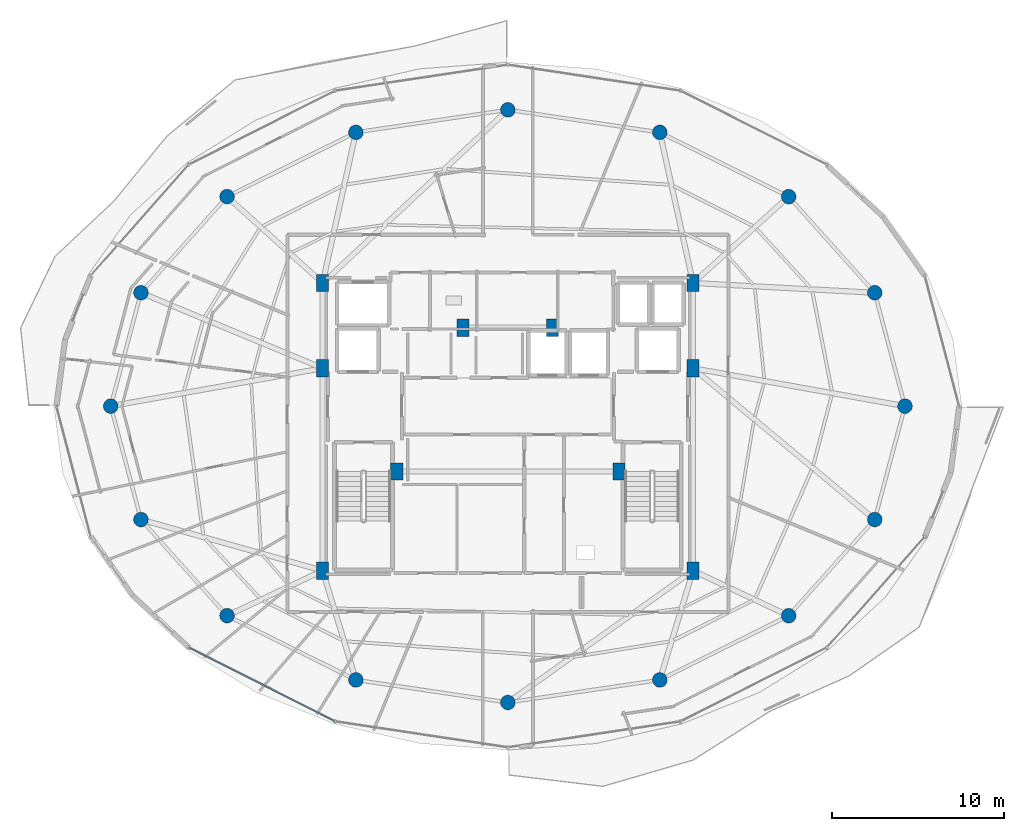
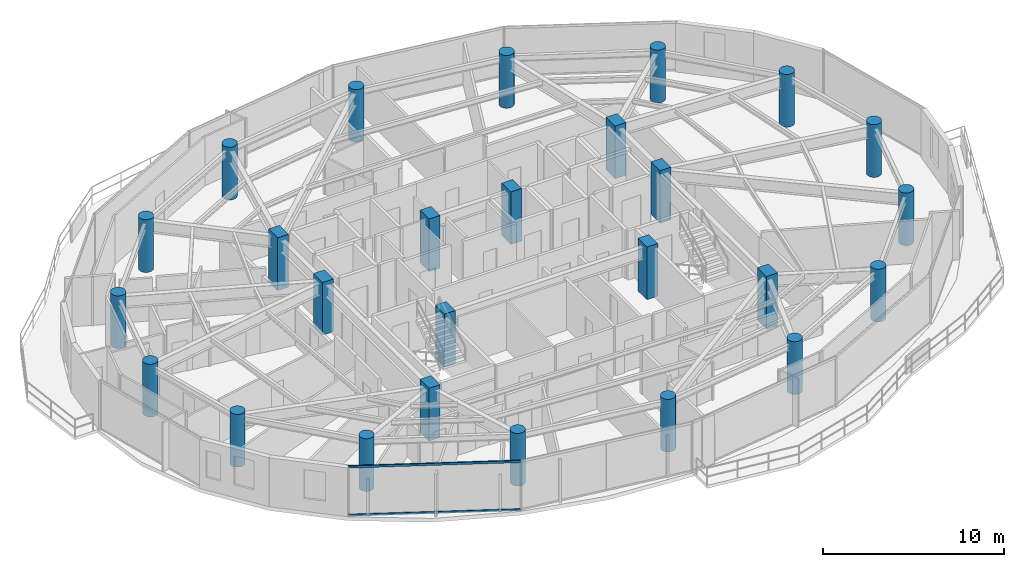
# One storey, part 1 of 30: 26 columns, 2 members, 1 element without a shape of its own.
"""IFC4 building model written with IfcOpenShell, lengths in metres."""

from ifc_helpers import new_model, si_unit, direction, frame, origin, origin_2d, place, context, subcontext, project, spatial, rectangle, hollow_rectangle, circle, extrude, material, material_profile, profile_set, type_object, element, aggregate, save


model = new_model("IFC4")

# Units and contexts
model_context = context("Model", 3, precision=1e-05, world=origin(), true_north=direction((0.0, 1.0)))
body_context = subcontext(model_context, "Body", "Model", "MODEL_VIEW")
ifc_project = project(units=[si_unit("LENGTHUNIT", "METRE"), si_unit("AREAUNIT", "SQUARE_METRE"), si_unit("VOLUMEUNIT", "CUBIC_METRE"), si_unit("PLANEANGLEUNIT", "RADIAN"), si_unit("MASSUNIT", "GRAM", prefix="KILO")], contexts=[model_context])

# Site, building, storey
site_placement = place(None, origin())
site = spatial("IfcSite", under=ifc_project, at=site_placement, CompositionType="ELEMENT")
building_placement = place(site_placement, origin())
building = spatial("IfcBuilding", under=site, at=building_placement, Name="Vorneva Point Tower", CompositionType="ELEMENT")
storey_placement = place(building_placement, frame((0.0, 0.0, 234.25)))
storey = spatial("IfcBuildingStorey", under=building, at=storey_placement, Name="L63", CompositionType="ELEMENT", Elevation=234.25)

# Columns
ifc_material_1 = material(Name="Concrete B50 (C40/50)", Category="concrete")
ifc_material_profile_1 = material_profile(ifc_material_1, circle(Radius=0.425048828125, at=origin_2d()), Name="RC-CIRC 850")
ifc_profile_set_1 = profile_set([ifc_material_profile_1], Name="Concrete B50 (C40/50)")
column_type_1 = type_object("IfcColumnType", Name="COL-RC850C", PredefinedType="COLUMN", material=ifc_profile_set_1)
for number, where, z_axis, x_axis, name in (
    (1, (61.050048828125, 26.0, 0.0), (0.0, 0.0, 1.0), (1.0, 0.0, 0.0), "L63 Perimeter Column P01"),
    (2, (59.29541015625, 32.582275390625, 0.0), (0.0, 0.0, 1.0), (0.923879532511, 0.382683432365, 0.0), "L63 Perimeter Column P02"),
    (3, (54.298828125, 38.162109375, 0.0), (0.0, 0.0, 1.0), (0.707106781187, 0.707106781187, 0.0), "L63 Perimeter Column P03"),
    (4, (46.82080078125, 41.890625, 0.0), (0.0, 0.0, 1.0), (0.382683432365, 0.923879532511, 0.0), "L63 Perimeter Column P04"),
    (5, (38.0, 43.199951171875, 0.0), (0.0, 0.0, 1.0), (0.0, 1.0, 0.0), "L63 Perimeter Column P05"),
    (6, (29.17919921875, 41.890625, 0.0), (0.0, 0.0, 1.0), (-0.382683432365, 0.923879532511, 0.0), "L63 Perimeter Column P06"),
    (7, (21.701171875, 38.162109375, 0.0), (0.0, 0.0, 1.0), (-0.707106781187, 0.707106781187, 0.0), "L63 Perimeter Column P07"),
    (8, (16.70458984375, 32.582275390625, 0.0), (0.0, 0.0, 1.0), (-0.923879532511, 0.382683432365, 0.0), "L63 Perimeter Column P08"),
    (9, (14.949951171875, 26.0, 0.0), (0.0, 0.0, 1.0), (-1.0, 0.0, 0.0), "L63 Perimeter Column P09"),
    (10, (16.70458984375, 19.417724609375, 0.0), (0.0, 0.0, 1.0), (-0.923879532511, -0.382683432365, 0.0), "L63 Perimeter Column P10"),
    (11, (21.701171875, 13.837890625, 0.0), (0.0, 0.0, 1.0), (-0.707106781187, -0.707106781187, 0.0), "L63 Perimeter Column P11"),
    (12, (29.17919921875, 10.109375, 0.0), (0.0, 0.0, 1.0), (-0.382683432365, -0.923879532511, 0.0), "L63 Perimeter Column P12"),
    (13, (38.0, 8.800048828125, 0.0), (0.0, 0.0, 1.0), (0.0, -1.0, 0.0), "L63 Perimeter Column P13"),
    (14, (46.82080078125, 10.109375, 0.0), (0.0, 0.0, 1.0), (0.382683432365, -0.923879532511, 0.0), "L63 Perimeter Column P14"),
    (15, (54.298828125, 13.837890625, 0.0), (0.0, 0.0, 1.0), (0.707106781187, -0.707106781187, 0.0), "L63 Perimeter Column P15"),
    (16, (59.29541015625, 19.417724609375, 0.0), (0.0, 0.0, 1.0), (0.923879532511, -0.382683432365, 0.0), "L63 Perimeter Column P16"),
):
    element("IfcColumn", number, at=place(storey_placement, frame(where, z_axis=z_axis, x_axis=x_axis)), inside=storey, type_object=column_type_1, Name=name, PredefinedType="COLUMN", context=body_context, shape_type="SweptSolid", body=[
        extrude(circle(Radius=0.425048828125, at=origin_2d()), origin(), (0.0, 0.0, 1.0), 3.550048828125),
    ])
ifc_material_profile_2 = material_profile(ifc_material_1, rectangle(XDim=0.699951171875, YDim=1.0, at=origin_2d()), Name="RC-PIL 1000x700")
ifc_profile_set_2 = profile_set([ifc_material_profile_2], Name="Concrete B50 (C40/50)")
column_type_2 = type_object("IfcColumnType", Name="PIL-RC1000x700", PredefinedType="PILASTER", material=ifc_profile_set_2)
for number, where, z_axis, x_axis, name in (
    (17, (27.25, 16.449951171875, 0.0), (0.0, 0.0, 1.0), (1.0, 0.0, 0.0), "L63 Core Pilaster CP1"),
    (18, (27.25, 28.199951171875, 0.0), (0.0, 0.0, 1.0), (1.0, 0.0, 0.0), "L63 Core Pilaster CP2"),
    (19, (27.25, 33.14990234375, 0.0), (0.0, 0.0, 1.0), (1.0, 0.0, 0.0), "L63 Core Pilaster CP3"),
    (20, (31.550048828125, 22.199951171875, 0.0), (0.0, 0.0, 1.0), (1.0, 0.0, 0.0), "L63 Core Pilaster CP4"),
    (21, (48.75, 33.14990234375, 0.0), (0.0, 0.0, 1.0), (1.0, 0.0, 0.0), "L63 Core Pilaster CP5"),
    (22, (48.75, 28.199951171875, 0.0), (0.0, 0.0, 1.0), (1.0, 0.0, 0.0), "L63 Core Pilaster CP6"),
    (23, (48.75, 16.449951171875, 0.0), (0.0, 0.0, 1.0), (1.0, 0.0, 0.0), "L63 Core Pilaster CP7"),
    (24, (44.449951171875, 22.199951171875, 0.0), (0.0, 0.0, 1.0), (1.0, 0.0, 0.0), "L63 Core Pilaster CP8"),
    (25, (35.39990234375, 30.550048828125, 0.0), (0.0, 0.0, 1.0), (1.0, 0.0, 0.0), "L63 Core Pilaster CP9"),
    (26, (40.60009765625, 30.550048828125, 0.0), (0.0, 0.0, 1.0), (1.0, 0.0, 0.0), "L63 Core Pilaster CP10"),
):
    element("IfcColumn", number, at=place(storey_placement, frame(where, z_axis=z_axis, x_axis=x_axis)), inside=storey, type_object=column_type_2, Name=name, PredefinedType="PILASTER", context=body_context, shape_type="SweptSolid", body=[
        extrude(rectangle(XDim=0.699951171875, YDim=1.0, at=origin_2d()), origin(), (0.0, 0.0, 1.0), 3.550048828125),
    ])

# Curtain wall, members
ifc_material_2 = material(Name="Pale anodised aluminium", Category="aluminium")
curtain_wall_type = type_object("IfcCurtainWallType", Name="CW-RES-SYS", PredefinedType="NOTDEFINED", material=ifc_material_2)
curtain_wall_placement = place(storey_placement, origin())
curtain_wall = element("IfcCurtainWall", 27, at=curtain_wall_placement, inside=storey, type_object=curtain_wall_type, Name="L63 Unitised Curtain Wall CW-L63-R04", PredefinedType="NOTDEFINED")
ifc_material_profile_3 = material_profile(ifc_material_2, hollow_rectangle(XDim=0.074951171875, YDim=0.14990234375, WallThickness=0.00390625, at=origin_2d()), Name="AL-TRN 150x75x4")
ifc_profile_set_3 = profile_set([ifc_material_profile_3], Name="Pale anodised aluminium")
member_type = type_object("IfcMemberType", Name="CW-TRN-150", PredefinedType="USERDEFINED", material=ifc_profile_set_3)
member_1_placement = place(storey_placement, frame((19.473876953125, 11.9921875, 0.02001953125), z_axis=(0.892558185815, -0.450932239848, 0.0), x_axis=(0.450932239848, 0.892558185815, 0.0)))
member_1 = element("IfcMember", 28, at=member_1_placement, type_object=member_type, Name="CW-L63-R04 Transom 01.1", ObjectType="TRANSOM", PredefinedType="USERDEFINED", context=body_context, shape_type="SweptSolid", body=[
    extrude(hollow_rectangle(XDim=0.074951171875, YDim=0.14990234375, WallThickness=0.00390625, at=origin_2d()), origin(), (0.0, 0.0, 1.0), 9.52294921875),
])
member_2_placement = place(storey_placement, frame((19.473876953125, 11.9921875, 3.27001953125), z_axis=(0.892558185815, -0.450932239848, 0.0), x_axis=(0.450932239848, 0.892558185815, 0.0)))
member_2 = element("IfcMember", 29, at=member_2_placement, type_object=member_type, Name="CW-L63-R04 Transom 01.2", ObjectType="TRANSOM", PredefinedType="USERDEFINED", context=body_context, shape_type="SweptSolid", body=[
    extrude(hollow_rectangle(XDim=0.074951171875, YDim=0.14990234375, WallThickness=0.00390625, at=origin_2d()), origin(), (0.0, 0.0, 1.0), 9.52294921875),
])
aggregate(curtain_wall, [member_1, member_2])

save(model, "model.ifc")
